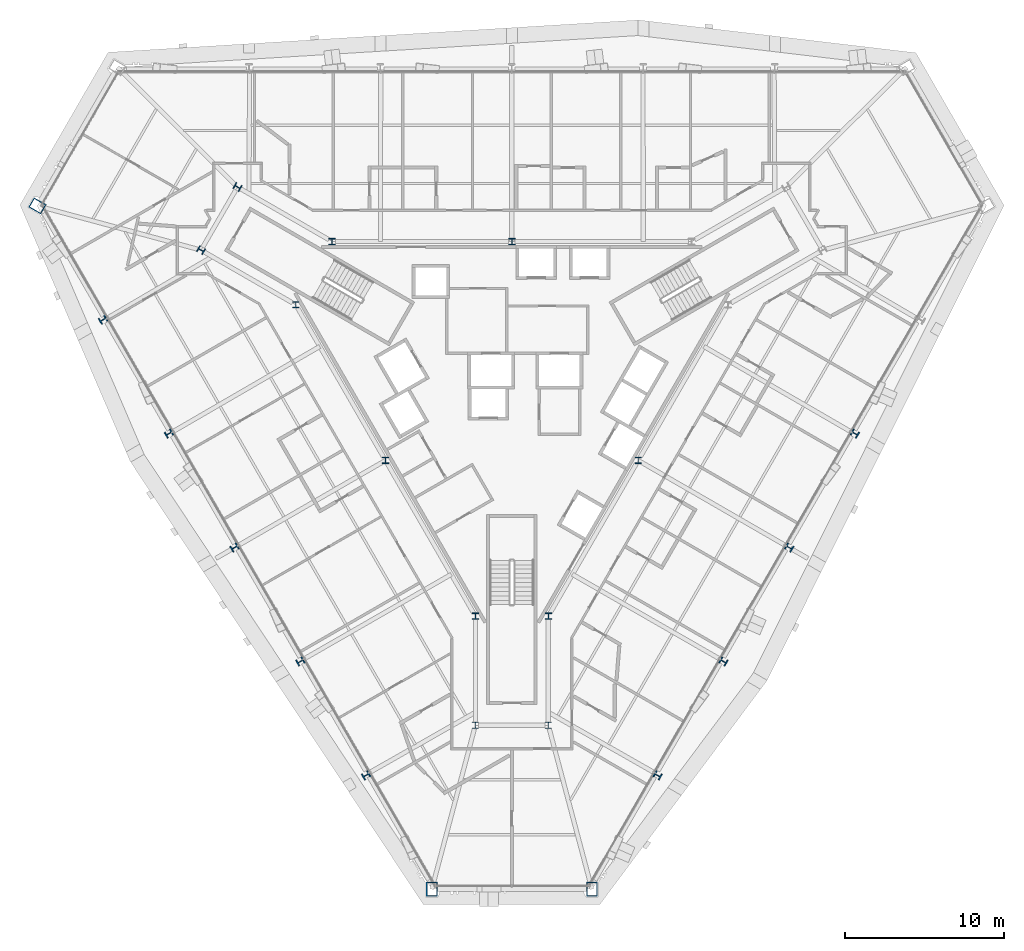
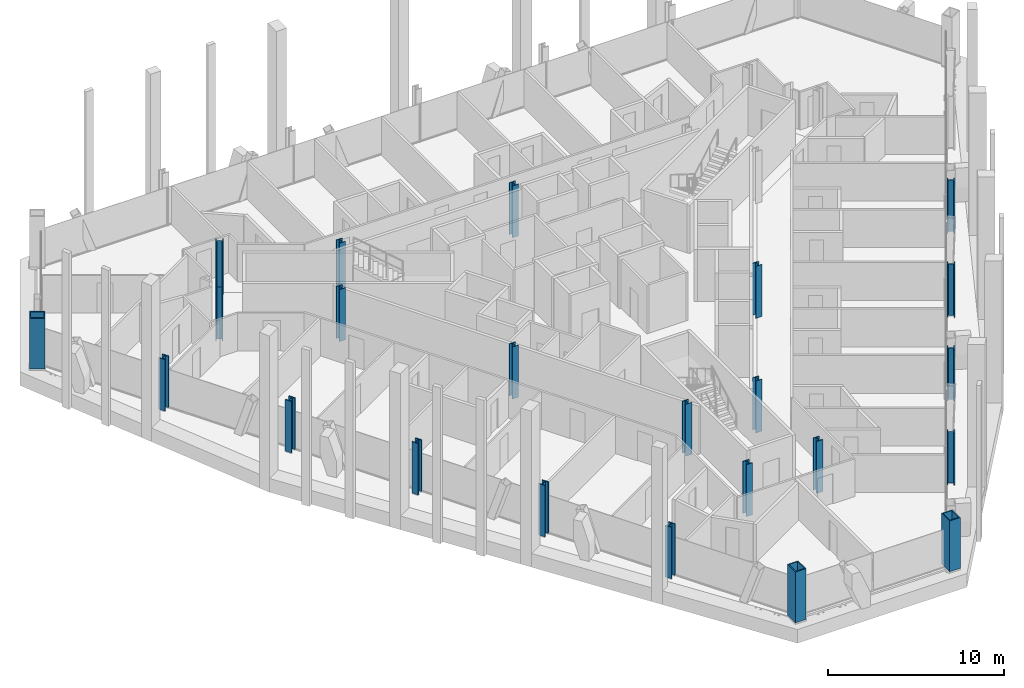
# One storey, part 1 of 17: 23 columns.
"""IFC4 building model written with IfcOpenShell, lengths in metres."""

from ifc_helpers import new_model, si_unit, direction, frame, origin, origin_2d, place, context, subcontext, project, spatial, hollow_rectangle, i_section, extrude, material, material_profile, profile_set, type_object, element, save


model = new_model("IFC4")

# Units and contexts
model_context = context("Model", 3, precision=1e-05, world=origin(), true_north=direction((0.0, 1.0)))
body_context = subcontext(model_context, "Body", "Model", "MODEL_VIEW")
ifc_project = project(units=[si_unit("LENGTHUNIT", "METRE"), si_unit("AREAUNIT", "SQUARE_METRE"), si_unit("VOLUMEUNIT", "CUBIC_METRE"), si_unit("PLANEANGLEUNIT", "RADIAN"), si_unit("MASSUNIT", "GRAM", prefix="KILO")], contexts=[model_context])

# Site, building, storey
site_placement = place(None, origin())
site = spatial("IfcSite", under=ifc_project, at=site_placement, CompositionType="ELEMENT")
building_placement = place(site_placement, origin())
building = spatial("IfcBuilding", under=site, at=building_placement, Name="Verrane Prism Tower", CompositionType="ELEMENT")
storey_placement = place(building_placement, frame((0.0, 0.0, 132.39990234375)))
storey = spatial("IfcBuildingStorey", under=building, at=storey_placement, Name="L32", CompositionType="ELEMENT", Elevation=132.39990234375)

# Columns
ifc_material_1 = material(Name="Steel A992", Category="steel")
ifc_material_profile_1 = material_profile(ifc_material_1, i_section(OverallWidth=0.411376953125, OverallDepth=0.434326171875, WebThickness=0.035888671875, FlangeThickness=0.057373046875, FilletRadius=0.01513671875, at=origin_2d()), Name="W14x311")
ifc_profile_set_1 = profile_set([ifc_material_profile_1], Name="Steel A992")
column_type_1 = type_object("IfcColumnType", Name="Core corner column W14x311", PredefinedType="COLUMN", material=ifc_profile_set_1)
for number, where, z_axis, x_axis, name in (
    (1, (-17.300048828125, 12.639892578125, 0.0), (0.0, 0.0, 1.0), (0.5, 0.866025403784, 0.0), "Core corner column CK-NWm L32"),
    (2, (-19.60009765625, 8.659912109375, 0.0), (0.0, 0.0, 1.0), (0.5, 0.866025403784, 0.0), "Core corner column CK-NWp L32"),
    (3, (-2.300048828125, -21.300048828125, 0.0), (0.0, 0.0, 1.0), (-1.0, 0.0, 0.0), "Core corner column CK-Sm L32"),
    (4, (2.300048828125, -21.300048828125, 0.0), (0.0, 0.0, 1.0), (-1.0, 0.0, 0.0), "Core corner column CK-Sp L32"),
):
    element("IfcColumn", number, at=place(storey_placement, frame(where, z_axis=z_axis, x_axis=x_axis)), inside=storey, type_object=column_type_1, Name=name, PredefinedType="COLUMN", context=body_context, shape_type="SweptSolid", body=[
        extrude(i_section(OverallWidth=0.411376953125, OverallDepth=0.434326171875, WebThickness=0.035888671875, FlangeThickness=0.057373046875, FilletRadius=0.01513671875, at=origin_2d()), origin(), (0.0, 0.0, 1.0), 3.60009765625),
    ])
ifc_material_2 = material(Name="Steel A992", Category="steel")
ifc_material_profile_2 = material_profile(ifc_material_2, i_section(OverallWidth=0.4013671875, OverallDepth=0.398681640625, WebThickness=0.02490234375, FlangeThickness=0.03955078125, FilletRadius=0.01513671875, at=origin_2d()), Name="W14x211")
ifc_profile_set_2 = profile_set([ifc_material_profile_2], Name="Steel A992")
column_type_2 = type_object("IfcColumnType", Name="Core side column W14x211", PredefinedType="COLUMN", material=ifc_profile_set_2)
for number, where, z_axis, x_axis, name in (
    (5, (0.0, 9.199951171875, 0.0), (0.0, 0.0, 1.0), (1.0, 0.0, 0.0), "Core side column CC-N0 L32"),
    (6, (-11.330078125, 9.199951171875, 0.0), (0.0, 0.0, 1.0), (1.0, 0.0, 0.0), "Core side column CC-NWm L32"),
    (7, (-13.6298828125, 5.219970703125, 0.0), (0.0, 0.0, 1.0), (1.0, 0.0, 0.0), "Core side column CC-NWp L32"),
    (8, (-7.969970703125, -4.60009765625, 0.0), (0.0, 0.0, 1.0), (1.0, 0.0, 0.0), "Core side column CC-SW0 L32"),
    (9, (-2.300048828125, -14.419921875, 0.0), (0.0, 0.0, 1.0), (1.0, 0.0, 0.0), "Core side column CC-Sm L32"),
    (10, (2.300048828125, -14.419921875, 0.0), (0.0, 0.0, 1.0), (1.0, 0.0, 0.0), "Core side column CC-Sp L32"),
    (11, (7.969970703125, -4.60009765625, 0.0), (0.0, 0.0, 1.0), (1.0, 0.0, 0.0), "Core side column CC-SE0 L32"),
):
    element("IfcColumn", number, at=place(storey_placement, frame(where, z_axis=z_axis, x_axis=x_axis)), inside=storey, type_object=column_type_2, Name=name, PredefinedType="COLUMN", context=body_context, shape_type="SweptSolid", body=[
        extrude(i_section(OverallWidth=0.4013671875, OverallDepth=0.398681640625, WebThickness=0.02490234375, FlangeThickness=0.03955078125, FilletRadius=0.01513671875, at=origin_2d()), origin(), (0.0, 0.0, 1.0), 3.60009765625),
    ])
ifc_material_3 = material(Name="Steel A572 Grade 50", Category="steel")
ifc_material_profile_3 = material_profile(ifc_material_3, hollow_rectangle(XDim=0.699951171875, YDim=0.89990234375, WallThickness=0.06494140625, at=origin_2d()), Name="BOX 900x700x65")
ifc_profile_set_3 = profile_set([ifc_material_profile_3], Name="Steel A572 Grade 50")
column_type_3 = type_object("IfcColumnType", Name="Megacolumn BOX 900x700x65", PredefinedType="COLUMN", material=ifc_profile_set_3)
for number, where, z_axis, x_axis, name in (
    (12, (-29.919921875, 11.449951171875, 0.0751953125), (0.0, 0.0, 1.0), (0.5, 0.866025403784, 0.0), "Megacolumn MC-NW.b L32"),
    (13, (-5.050048828125, -31.639892578125, 0.0751953125), (0.0, 0.0, 1.0), (-1.0, 0.0, 0.0), "Megacolumn MC-S.a L32"),
    (14, (5.050048828125, -31.639892578125, 0.0751953125), (0.0, 0.0, 1.0), (-1.0, 0.0, 0.0), "Megacolumn MC-S.b L32"),
):
    element("IfcColumn", number, at=place(storey_placement, frame(where, z_axis=z_axis, x_axis=x_axis)), inside=storey, type_object=column_type_3, Name=name, PredefinedType="COLUMN", context=body_context, shape_type="SweptSolid", body=[
        extrude(hollow_rectangle(XDim=0.699951171875, YDim=0.89990234375, WallThickness=0.06494140625, at=origin_2d()), origin(), (0.0, 0.0, 1.0), 3.52490234375),
    ])
ifc_material_4 = material(Name="Steel A992", Category="steel")
ifc_material_profile_4 = material_profile(ifc_material_4, i_section(OverallWidth=0.419189453125, OverallDepth=0.45458984375, WebThickness=0.042236328125, FlangeThickness=0.067626953125, FilletRadius=0.01513671875, at=origin_2d()), Name="W14x370")
ifc_profile_set_4 = profile_set([ifc_material_profile_4], Name="Steel A992")
column_type_4 = type_object("IfcColumnType", Name="Perimeter column W14x370", PredefinedType="COLUMN", material=ifc_profile_set_4)
for number, where, z_axis, x_axis, name in (
    (15, (-25.780029296875, 4.27001953125, 0.0400390625), (0.0, 0.0, 1.0), (-0.5, 0.866025403784, 0.0), "Perimeter column PC-SW1 L32"),
    (16, (-21.6298828125, -2.909912109375, 0.0400390625), (0.0, 0.0, 1.0), (-0.5, 0.866025403784, 0.0), "Perimeter column PC-SW2 L32"),
):
    element("IfcColumn", number, at=place(storey_placement, frame(where, z_axis=z_axis, x_axis=x_axis)), inside=storey, type_object=column_type_4, Name=name, PredefinedType="COLUMN", context=body_context, shape_type="SweptSolid", body=[
        extrude(i_section(OverallWidth=0.419189453125, OverallDepth=0.45458984375, WebThickness=0.042236328125, FlangeThickness=0.067626953125, FilletRadius=0.01513671875, at=origin_2d()), origin(), (0.0, 0.0, 1.0), 3.56005859375),
    ])
column_1_placement = place(storey_placement, frame((-17.489990234375, -10.10009765625, 0.03515625), z_axis=(0.0, 0.0, 1.0), x_axis=(-0.5, 0.866025403784, 0.0)))
element("IfcColumn", 17, at=column_1_placement, inside=storey, type_object=column_type_4, Name="Perimeter column PC-SW3 L32", PredefinedType="COLUMN", context=body_context, shape_type="SweptSolid", body=[
    extrude(i_section(OverallWidth=0.419189453125, OverallDepth=0.45458984375, WebThickness=0.042236328125, FlangeThickness=0.067626953125, FilletRadius=0.01513671875, at=origin_2d()), origin(), (0.0, 0.0, 1.0), 3.56494140625),
])
for number, where, z_axis, x_axis, name in (
    (18, (-13.340087890625, -17.280029296875, 0.0400390625), (0.0, 0.0, 1.0), (-0.5, 0.866025403784, 0.0), "Perimeter column PC-SW4 L32"),
    (19, (-9.18994140625, -24.4599609375, 0.0400390625), (0.0, 0.0, 1.0), (-0.5, 0.866025403784, 0.0), "Perimeter column PC-SW5 L32"),
    (20, (9.18994140625, -24.4599609375, 0.0400390625), (0.0, 0.0, 1.0), (-0.5, -0.866025403784, 0.0), "Perimeter column PC-SE1 L32"),
    (21, (13.340087890625, -17.280029296875, 0.0400390625), (0.0, 0.0, 1.0), (-0.5, -0.866025403784, 0.0), "Perimeter column PC-SE2 L32"),
):
    element("IfcColumn", number, at=place(storey_placement, frame(where, z_axis=z_axis, x_axis=x_axis)), inside=storey, type_object=column_type_4, Name=name, PredefinedType="COLUMN", context=body_context, shape_type="SweptSolid", body=[
        extrude(i_section(OverallWidth=0.419189453125, OverallDepth=0.45458984375, WebThickness=0.042236328125, FlangeThickness=0.067626953125, FilletRadius=0.01513671875, at=origin_2d()), origin(), (0.0, 0.0, 1.0), 3.56005859375),
    ])
column_2_placement = place(storey_placement, frame((17.489990234375, -10.10009765625, 0.03515625), z_axis=(0.0, 0.0, 1.0), x_axis=(-0.5, -0.866025403784, 0.0)))
element("IfcColumn", 22, at=column_2_placement, inside=storey, type_object=column_type_4, Name="Perimeter column PC-SE3 L32", PredefinedType="COLUMN", context=body_context, shape_type="SweptSolid", body=[
    extrude(i_section(OverallWidth=0.419189453125, OverallDepth=0.45458984375, WebThickness=0.042236328125, FlangeThickness=0.067626953125, FilletRadius=0.01513671875, at=origin_2d()), origin(), (0.0, 0.0, 1.0), 3.56494140625),
])
column_3_placement = place(storey_placement, frame((21.6298828125, -2.909912109375, 0.0400390625), z_axis=(0.0, 0.0, 1.0), x_axis=(-0.5, -0.866025403784, 0.0)))
element("IfcColumn", 23, at=column_3_placement, inside=storey, type_object=column_type_4, Name="Perimeter column PC-SE4 L32", PredefinedType="COLUMN", context=body_context, shape_type="SweptSolid", body=[
    extrude(i_section(OverallWidth=0.419189453125, OverallDepth=0.45458984375, WebThickness=0.042236328125, FlangeThickness=0.067626953125, FilletRadius=0.01513671875, at=origin_2d()), origin(), (0.0, 0.0, 1.0), 3.56005859375),
])

save(model, "model.ifc")
